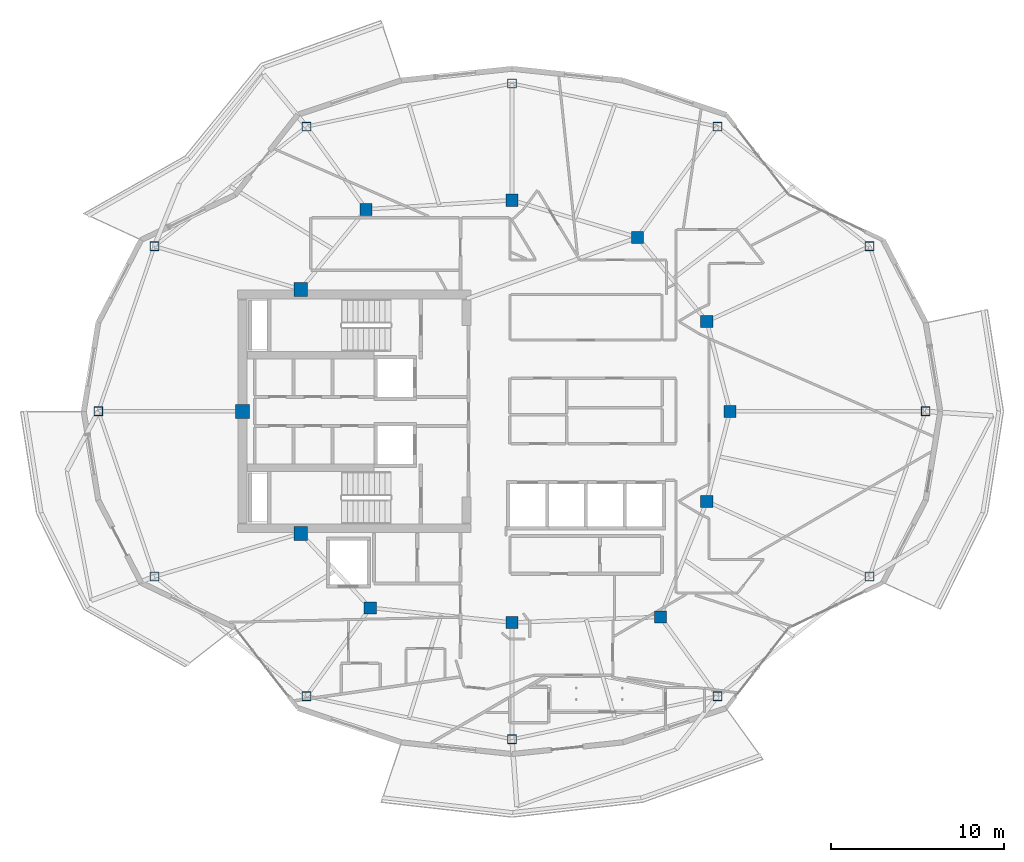
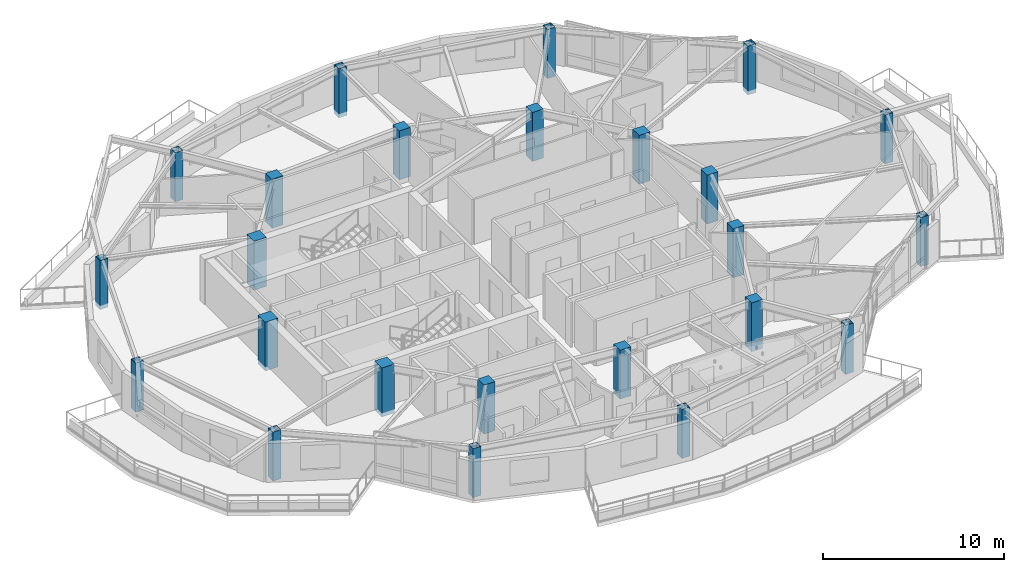
# One storey, part 1 of 21: 24 columns.
"""IFC4 building model written with IfcOpenShell, lengths in metres."""

import ifcopenshell
import ifcopenshell.guid

model = None  # the IFC model being written
_history = None  # IfcOwnerHistory: only IFC2X3 demands one
_inside = {}  # id of a spatial element -> (the spatial element, [elements in it])
_under = {}  # id of a project, library or spatial element -> (it, [spatial elements below it])
_declared = {}  # id of a project -> (the project, [libraries it declares])
_typed = {}  # id of a type object -> (the type object, [elements of that type])
_made_of = {}  # id of a material, layer set ... -> (it, [elements and type objects made of it])


def new_model(schema):
    """Start an empty IFC model of exactly this schema.

    Asked for "IFC4X3", IfcOpenShell would pick the latest addendum, in which some entities
    have other attributes; the version numbers below select the first issue.
    IFC2X3 requires an IfcOwnerHistory on every rooted entity: one is made here for all.
    """
    global model, _history
    if schema == "IFC4X3":
        model = ifcopenshell.file(schema_version=(4, 3, 0, 0))
    else:
        model = ifcopenshell.file(schema=schema)
    _inside.clear()
    _under.clear()
    _declared.clear()
    _typed.clear()
    _made_of.clear()
    _history = None
    if model.schema == "IFC2X3":
        org = make("IfcOrganization", Name="unknown")
        user = make(
            "IfcPersonAndOrganization",
            ThePerson=make("IfcPerson", FamilyName="unknown"),
            TheOrganization=org,
        )
        app = make(
            "IfcApplication",
            ApplicationDeveloper=org,
            Version="unknown",
            ApplicationFullName="unknown",
            ApplicationIdentifier="unknown",
        )
        _history = make(
            "IfcOwnerHistory",
            OwningUser=user,
            OwningApplication=app,
            ChangeAction="ADDED",
            CreationDate=0,
        )
    return model


def make(cls, **values):
    """One entity of the class cls with the attributes given. An attribute that is None is left unset."""
    return model.create_entity(
        cls, **{name: value for name, value in values.items() if value is not None}
    )


def rooted(cls, **values):
    """An entity with a GlobalId (a new one), such as an element, a storey or a relation."""
    return make(cls, GlobalId=ifcopenshell.guid.new(), OwnerHistory=_history, **values)


def si_unit(unit_type, name, prefix=None):
    """IfcSIUnit, for example si_unit("LENGTHUNIT", "METRE", prefix="MILLI")."""
    return make("IfcSIUnit", UnitType=unit_type, Prefix=prefix, Name=name)


def assignment(units):
    """IfcUnitAssignment: the units of a project."""
    return None if units is None else make("IfcUnitAssignment", Units=units)


def point(xyz):
    """IfcCartesianPoint."""
    return None if xyz is None else make("IfcCartesianPoint", Coordinates=xyz)


def direction(xyz):
    """IfcDirection."""
    return None if xyz is None else make("IfcDirection", DirectionRatios=xyz)


def frame(location, z_axis=None, x_axis=None):
    """IfcAxis2Placement3D, a coordinate frame: its origin and axes. An axis left out is left unset."""
    return make(
        "IfcAxis2Placement3D",
        Location=point(location),
        Axis=direction(z_axis),
        RefDirection=direction(x_axis),
    )


def frame_2d(location, x_axis=None):
    """IfcAxis2Placement2D, a coordinate frame in the plane: its origin and x axis."""
    return make(
        "IfcAxis2Placement2D", Location=point(location), RefDirection=direction(x_axis)
    )


def origin():
    """The frame at (0, 0, 0) with its axes left unset."""
    return frame((0.0, 0.0, 0.0))


def origin_2d():
    """The frame at (0, 0) in the plane with its x axis left unset."""
    return frame_2d((0.0, 0.0))


def place(relative_to, where):
    """IfcLocalPlacement: puts the frame where relative to a parent placement (None: the world)."""
    return make(
        "IfcLocalPlacement", PlacementRelTo=relative_to, RelativePlacement=where
    )


def context(
    kind, dimensions, precision=None, world=None, true_north=None, identifier=None
):
    """IfcGeometricRepresentationContext, for example the 3D "Model" context."""
    return make(
        "IfcGeometricRepresentationContext",
        ContextIdentifier=identifier,
        ContextType=kind,
        CoordinateSpaceDimension=dimensions,
        Precision=precision,
        WorldCoordinateSystem=world,
        TrueNorth=true_north,
    )


def subcontext(parent, identifier, kind, view, scale=None):
    """IfcGeometricRepresentationSubContext, for example "Body" below "Model"."""
    return make(
        "IfcGeometricRepresentationSubContext",
        ContextIdentifier=identifier,
        ContextType=kind,
        ParentContext=parent,
        TargetScale=scale,
        TargetView=view,
    )


def project(units=None, contexts=None):
    """IfcProject with its units and contexts."""
    return rooted(
        "IfcProject",
        Name="project",
        RepresentationContexts=contexts,
        UnitsInContext=assignment(units),
    )


def spatial(cls, under=None, at=None, **own):
    """A site, building, storey or space (cls), placed at a placement, below another one or the project."""
    s = rooted(cls, ObjectPlacement=at, **own)
    if under is not None:
        _under.setdefault(under.id(), (under, []))[1].append(s)
    return s


def profile(cls, at=None, kind="AREA", **sizes):
    """A parametric profile (cls). Its sizes go by their IFC names, for example OverallWidth=200.0."""
    return make(cls, ProfileType=kind, Position=at, **sizes)


def rectangle(**sizes):
    """IfcRectangleProfileDef."""
    return profile("IfcRectangleProfileDef", **sizes)


def hollow_rectangle(**sizes):
    """IfcRectangleHollowProfileDef."""
    return profile("IfcRectangleHollowProfileDef", **sizes)


def extrude(swept, where, along, depth):
    """IfcExtrudedAreaSolid: the profile swept, set in the frame where, extruded along a direction by depth."""
    return make(
        "IfcExtrudedAreaSolid",
        SweptArea=swept,
        Position=where,
        ExtrudedDirection=direction(along),
        Depth=depth,
    )


def shape(context_of_items, identifier, shape_type, items):
    """IfcShapeRepresentation: the items that make up one representation, for example the "Body"."""
    return make(
        "IfcShapeRepresentation",
        ContextOfItems=context_of_items,
        RepresentationIdentifier=identifier,
        RepresentationType=shape_type,
        Items=items,
    )


def material(Name=None, Category=None):
    """IfcMaterial."""
    return make("IfcMaterial", Name=Name, Category=Category)


def material_profile(
    of_material, cross_section, Name=None, Category=None, Priority=None
):
    """IfcMaterialProfile: a cross section and its material."""
    return make(
        "IfcMaterialProfile",
        Name=Name,
        Material=of_material,
        Profile=cross_section,
        Priority=Priority,
        Category=Category,
    )


def profile_set(profiles, Name=None, composite=None):
    """IfcMaterialProfileSet."""
    return make(
        "IfcMaterialProfileSet",
        Name=Name,
        MaterialProfiles=profiles,
        CompositeProfile=composite,
    )


def made_of(thing, what):
    """Note that an element or type object is made of a material, layer set ...; save() writes the relation."""
    if what is not None:
        _made_of.setdefault(what.id(), (what, []))[1].append(thing)
    return thing


def type_object(cls, material=None, **own):
    """A type object (cls), such as IfcWallType, which elements share."""
    return made_of(rooted(cls, **own), material)


def element(
    cls,
    number,
    at=None,
    inside=None,
    cuts=None,
    type_object=None,
    material=None,
    context=None,
    identifier="Body",
    shape_type=None,
    held_by="IfcProductDefinitionShape",
    body=None,
    shapes=None,
    **own,
):
    """One element of the class cls, such as IfcWall. Its Tag is "e" and its number.

    at: its placement. inside: the storey or other place that contains it. cuts: it is an
    opening in that element (IfcRelVoidsElement). A single representation is given by context,
    identifier, shape_type and body (its items); several are given by shapes. held_by: the class
    of the entity that holds the representations. save() writes the other relations.
    """
    e = rooted(cls, Tag="e%d" % number, ObjectPlacement=at, **own)
    if body is not None:
        shapes = [shape(context, identifier, shape_type, body)]
    if shapes is not None:
        e.Representation = make(held_by, Representations=shapes)
    if inside is not None:
        _inside.setdefault(inside.id(), (inside, []))[1].append(e)
    if cuts is not None:
        rooted(
            "IfcRelVoidsElement", RelatingBuildingElement=cuts, RelatedOpeningElement=e
        )
    if type_object is not None:
        _typed.setdefault(type_object.id(), (type_object, []))[1].append(e)
    return made_of(e, material)


def aggregate(whole, parts):
    """IfcRelAggregates: a whole, such as a stair, and the parts it consists of."""
    return rooted("IfcRelAggregates", RelatingObject=whole, RelatedObjects=parts)


def save(model, path):
    """Write the relations noted so far, then the file.

    IfcRelAggregates (storeys below a building ...), IfcRelContainedInSpatialStructure (elements
    in a storey), IfcRelDefinesByType, IfcRelAssociatesMaterial and IfcRelDeclares: one each for
    every whole, place, type object, material and project.
    """
    for whole, parts in _under.values():
        aggregate(whole, parts)
    for where, things in _inside.values():
        rooted(
            "IfcRelContainedInSpatialStructure",
            RelatedElements=things,
            RelatingStructure=where,
        )
    for kind, things in _typed.values():
        rooted("IfcRelDefinesByType", RelatedObjects=things, RelatingType=kind)
    for what, things in _made_of.values():
        rooted("IfcRelAssociatesMaterial", RelatedObjects=things, RelatingMaterial=what)
    for by, libraries in _declared.values():
        rooted("IfcRelDeclares", RelatingContext=by, RelatedDefinitions=libraries)
    model.write(path)


model = new_model("IFC4")

# Units and contexts
model_context = context("Model", 3, precision=1e-05, world=origin(), true_north=direction((0.0, 1.0)))
body_context = subcontext(model_context, "Body", "Model", "MODEL_VIEW")
ifc_project = project(units=[si_unit("LENGTHUNIT", "METRE"), si_unit("AREAUNIT", "SQUARE_METRE"), si_unit("VOLUMEUNIT", "CUBIC_METRE"), si_unit("PLANEANGLEUNIT", "RADIAN"), si_unit("MASSUNIT", "GRAM", prefix="KILO")], contexts=[model_context])

# Site, building, storey
site_placement = place(None, origin())
site = spatial("IfcSite", under=ifc_project, at=site_placement, CompositionType="ELEMENT")
building_placement = place(site_placement, origin())
building = spatial("IfcBuilding", under=site, at=building_placement, Name="Kolvaren Gate Tower and Convention Centre", CompositionType="ELEMENT")
storey_placement = place(building_placement, frame((0.0, 0.0, 226.10009765625)))
storey = spatial("IfcBuildingStorey", under=building, at=storey_placement, Name="L60", CompositionType="ELEMENT", Elevation=226.10009765625)

# Columns
ifc_material_1 = material(Name="Structural steel ASTM A500 Grade C 345 MPa", Category="steel")
ifc_material_profile_1 = material_profile(ifc_material_1, hollow_rectangle(XDim=0.508056640625, YDim=0.508056640625, WallThickness=0.01904296875, at=origin_2d()), Name="HSS508X508X19.1")
ifc_profile_set_1 = profile_set([ifc_material_profile_1], Name="Structural steel ASTM A500 Grade C 345 MPa")
column_type_1 = type_object("IfcColumnType", Name="STR-COL-HSS508", PredefinedType="COLUMN", material=ifc_profile_set_1)
for number, where, z_axis, x_axis, name in (
    (1, (54.02490234375, 27.0, -0.27001953125), (0.0, 0.0, 1.0), (1.0, 0.0, 0.0), "Tower L60 Perimeter Supercolumn TP-01"),
    (2, (50.787353515625, 36.543701171875, -0.27001953125), (0.0, 0.0, 1.0), (1.0, 0.0, 0.0), "Tower L60 Perimeter Supercolumn TP-02"),
    (3, (42.002685546875, 43.4580078125, -0.27001953125), (0.0, 0.0, 1.0), (1.0, 0.0, 0.0), "Tower L60 Perimeter Supercolumn TP-03"),
    (4, (30.125, 45.949951171875, -0.27001953125), (0.0, 0.0, 1.0), (1.0, 0.0, 0.0), "Tower L60 Perimeter Supercolumn TP-04"),
    (5, (18.247314453125, 43.4580078125, -0.27001953125), (0.0, 0.0, 1.0), (1.0, 0.0, 0.0), "Tower L60 Perimeter Supercolumn TP-05"),
    (6, (9.462646484375, 36.543701171875, -0.27001953125), (0.0, 0.0, 1.0), (1.0, 0.0, 0.0), "Tower L60 Perimeter Supercolumn TP-06"),
    (7, (6.22509765625, 27.0, -0.27001953125), (0.0, 0.0, 1.0), (1.0, 0.0, 0.0), "Tower L60 Perimeter Supercolumn TP-07"),
    (8, (9.462646484375, 17.456298828125, -0.27001953125), (0.0, 0.0, 1.0), (1.0, 0.0, 0.0), "Tower L60 Perimeter Supercolumn TP-08"),
    (9, (18.247314453125, 10.5419921875, -0.27001953125), (0.0, 0.0, 1.0), (1.0, 0.0, 0.0), "Tower L60 Perimeter Supercolumn TP-09"),
    (10, (30.125, 8.050048828125, -0.27001953125), (0.0, 0.0, 1.0), (1.0, 0.0, 0.0), "Tower L60 Perimeter Supercolumn TP-10"),
    (11, (42.002685546875, 10.5419921875, -0.27001953125), (0.0, 0.0, 1.0), (1.0, 0.0, 0.0), "Tower L60 Perimeter Supercolumn TP-11"),
    (12, (50.787353515625, 17.456298828125, -0.27001953125), (0.0, 0.0, 1.0), (1.0, 0.0, 0.0), "Tower L60 Perimeter Supercolumn TP-12"),
):
    element("IfcColumn", number, at=place(storey_placement, frame(where, z_axis=z_axis, x_axis=x_axis)), inside=storey, type_object=column_type_1, Name=name, PredefinedType="COLUMN", context=body_context, shape_type="SweptSolid", body=[
        extrude(hollow_rectangle(XDim=0.508056640625, YDim=0.508056640625, WallThickness=0.01904296875, at=origin_2d()), origin(), (0.0, 0.0, 1.0), 3.2998046875),
    ])
ifc_material_2 = material(Name="Concrete C50/60", Category="concrete")
ifc_material_profile_2 = material_profile(ifc_material_2, rectangle(XDim=0.699951171875, YDim=0.699951171875, at=origin_2d()), Name="RC-COL-700X700")
ifc_profile_set_2 = profile_set([ifc_material_profile_2], Name="Concrete C50/60")
column_type_2 = type_object("IfcColumnType", Name="STR-COL-RC700", PredefinedType="COLUMN", material=ifc_profile_set_2)
for number, where, z_axis, x_axis, name in (
    (13, (42.72509765625, 27.0, -0.27001953125), (0.0, 0.0, 1.0), (1.0, 0.0, 0.0), "Tower L60 Interior Column TI-01"),
    (14, (41.382080078125, 32.199462890625, -0.27001953125), (0.0, 0.0, 1.0), (1.0, 0.0, 0.0), "Tower L60 Interior Column TI-02"),
    (15, (37.381591796875, 37.054931640625, -0.27001953125), (0.0, 0.0, 1.0), (1.0, 0.0, 0.0), "Tower L60 Interior Column TI-03"),
    (16, (30.125, 39.199951171875, -0.27001953125), (0.0, 0.0, 1.0), (1.0, 0.0, 0.0), "Tower L60 Interior Column TI-04"),
    (17, (21.697998046875, 38.6767578125, -0.27001953125), (0.0, 0.0, 1.0), (1.0, 0.0, 0.0), "Tower L60 Interior Column TI-05"),
    (18, (21.93212890625, 15.647705078125, -0.27001953125), (0.0, 0.0, 1.0), (1.0, 0.0, 0.0), "Tower L60 Interior Column TI-06"),
    (19, (30.125, 14.800048828125, -0.27001953125), (0.0, 0.0, 1.0), (1.0, 0.0, 0.0), "Tower L60 Interior Column TI-07"),
    (20, (38.6982421875, 15.12060546875, -0.27001953125), (0.0, 0.0, 1.0), (1.0, 0.0, 0.0), "Tower L60 Interior Column TI-08"),
    (21, (41.382080078125, 21.800537109375, -0.27001953125), (0.0, 0.0, 1.0), (1.0, 0.0, 0.0), "Tower L60 Interior Column TI-09"),
):
    element("IfcColumn", number, at=place(storey_placement, frame(where, z_axis=z_axis, x_axis=x_axis)), inside=storey, type_object=column_type_2, Name=name, PredefinedType="COLUMN", context=body_context, shape_type="SweptSolid", body=[
        extrude(rectangle(XDim=0.699951171875, YDim=0.699951171875, at=origin_2d()), origin(), (0.0, 0.0, 1.0), 3.2998046875),
    ])
ifc_material_3 = material(Name="Concrete C60/75", Category="concrete")
ifc_material_profile_3 = material_profile(ifc_material_3, rectangle(XDim=0.800048828125, YDim=0.800048828125, at=origin_2d()), Name="RC-COL-800X800")
ifc_profile_set_3 = profile_set([ifc_material_profile_3], Name="Concrete C60/75")
column_type_3 = type_object("IfcColumnType", Name="STR-PIL-RC800", PredefinedType="PILASTER", material=ifc_profile_set_3)
for number, where, z_axis, x_axis, name in (
    (22, (17.9140625, 34.050048828125, -0.27001953125), (0.0, 0.0, 1.0), (1.0, 0.0, 0.0), "Tower L60 Core Boundary Pilaster TC-05"),
    (23, (14.550048828125, 27.0, -0.27001953125), (0.0, 0.0, 1.0), (1.0, 0.0, 0.0), "Tower L60 Core Boundary Pilaster TC-06"),
    (24, (17.9140625, 19.949951171875, -0.27001953125), (0.0, 0.0, 1.0), (1.0, 0.0, 0.0), "Tower L60 Core Boundary Pilaster TC-07"),
):
    element("IfcColumn", number, at=place(storey_placement, frame(where, z_axis=z_axis, x_axis=x_axis)), inside=storey, type_object=column_type_3, Name=name, PredefinedType="PILASTER", context=body_context, shape_type="SweptSolid", body=[
        extrude(rectangle(XDim=0.800048828125, YDim=0.800048828125, at=origin_2d()), origin(), (0.0, 0.0, 1.0), 3.2998046875),
    ])

save(model, "model.ifc")
